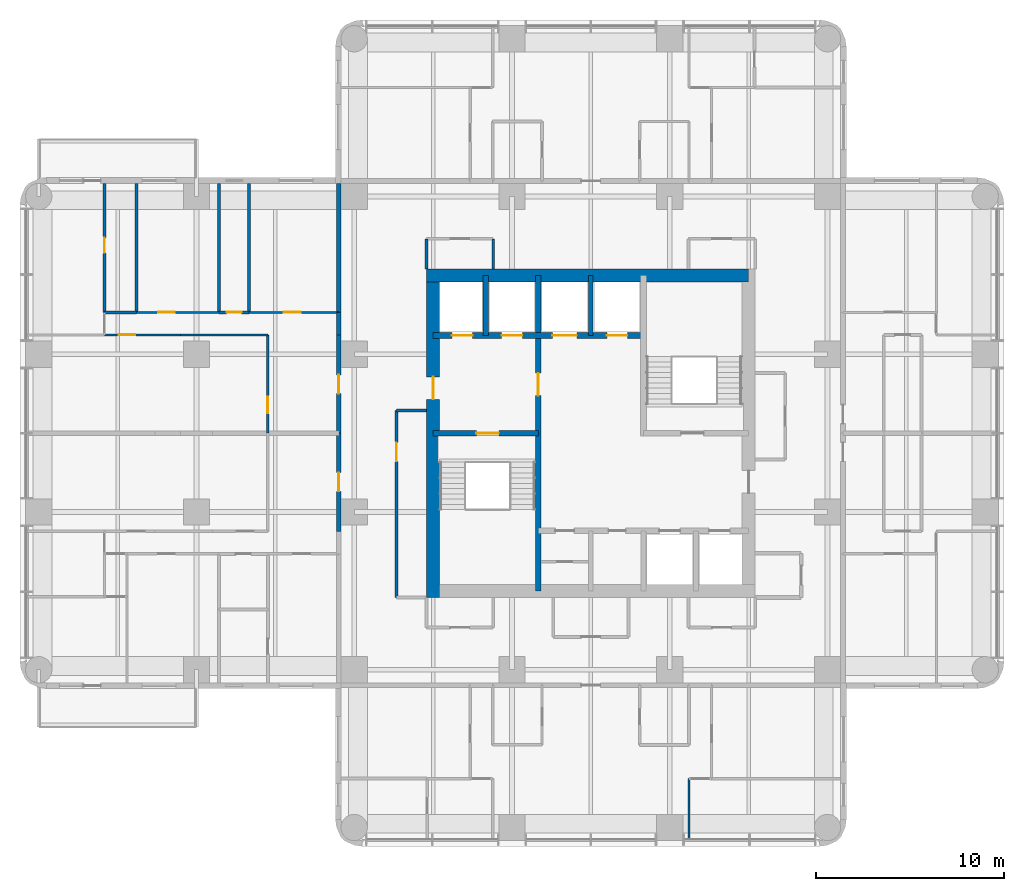
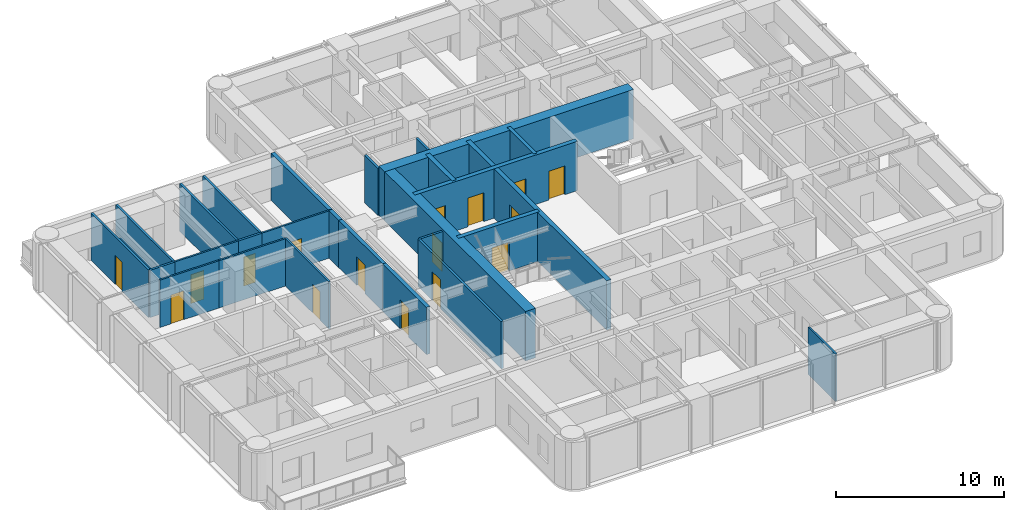
# One storey, part 6 of 11: 27 walls, 16 doors, 16 openings.
"""IFC4 building model written with IfcOpenShell, lengths in metres."""

from ifc_helpers import new_model, si_unit, direction, frame, frame_2d, origin, place, context, subcontext, project, spatial, rectangle, extrude, material, layer, layer_set, type_object, element, fill, save


model = new_model("IFC4")

# Units and contexts
model_context = context("Model", 3, precision=1e-05, world=origin(), true_north=direction((0.0, 1.0)))
body_context = subcontext(model_context, "Body", "Model", "MODEL_VIEW")
ifc_project = project(units=[si_unit("LENGTHUNIT", "METRE"), si_unit("AREAUNIT", "SQUARE_METRE"), si_unit("VOLUMEUNIT", "CUBIC_METRE"), si_unit("PLANEANGLEUNIT", "RADIAN"), si_unit("MASSUNIT", "GRAM", prefix="KILO")], contexts=[model_context])

# Site, building, storey
site_placement = place(None, origin())
site = spatial("IfcSite", under=ifc_project, at=site_placement, CompositionType="ELEMENT")
building_placement = place(site_placement, origin())
building = spatial("IfcBuilding", under=site, at=building_placement, Name="Torre Alcanfor", CompositionType="ELEMENT")
storey_placement = place(building_placement, frame((0.0, 0.0, 190.5)))
storey = spatial("IfcBuildingStorey", under=building, at=storey_placement, Name="L49", CompositionType="ELEMENT", Elevation=190.5)

# Wall, opening, door
ifc_material_1 = material(Name="Concrete block masonry, hollow blocks NMX-C-404 9 MPa", Category="masonry")
ifc_layer_1 = layer(ifc_material_1, 0.25)
ifc_layer_set_1 = layer_set([ifc_layer_1], Name="Apartment entrance wall 250 EI 60")
wall_type_1 = type_object("IfcWallType", Name="Apartment entrance wall 250 EI 60", PredefinedType="PARTITIONING", material=ifc_layer_set_1)
wall_1_placement = place(storey_placement, frame((15.97509765625, 24.1708984375, 0.0), z_axis=(0.0, 0.0, 1.0), x_axis=(0.0, 1.0, 0.0)))
wall_1 = element("IfcWall", 1, at=wall_1_placement, inside=storey, type_object=wall_type_1, Name="Partition L49-CORR / L49-W1-ZAG", PredefinedType="PARTITIONING", context=body_context, shape_type="SweptSolid", body=[
    extrude(rectangle(XDim=5.22900390625, YDim=0.25, at=frame_2d((2.614501953125, 0.0))), origin(), (0.0, 0.0, 1.0), 3.449951171875),
])
opening_1_placement = place(wall_1_placement, frame((2.12890625, 0.0, 0.0)))
opening_1 = element("IfcOpeningElement", 2, at=opening_1_placement, cuts=wall_1, Name="Opening D-A1", PredefinedType="OPENING", context=body_context, shape_type="SweptSolid", body=[
    extrude(rectangle(XDim=1.0, YDim=2.10009765625, at=frame_2d((0.5, 1.050048828125))), frame((0.0, 0.135009765625, 0.0), z_axis=(0.0, -1.0, 0.0), x_axis=(1.0, 0.0, 0.0)), (0.0, 0.0, 1.0), 0.27001953125),
])
ifc_material_2 = material(Name="Galvanised steel sheet ASTM A653", Category="steel")
door_type_1 = type_object("IfcDoorType", Name="Apartment entrance door FD60 1000x2100", OperationType="SINGLE_SWING_LEFT", PredefinedType="DOOR", material=ifc_material_2)
door_1_placement = place(opening_1_placement, origin())
door_1 = element("IfcDoor", 3, at=door_1_placement, inside=storey, type_object=door_type_1, Name="Apartment entrance L49-W1", OperationType="SINGLE_SWING_RIGHT", OverallHeight=2.10009765625, OverallWidth=1.0, PredefinedType="DOOR", context=body_context, shape_type="SweptSolid", body=[
    extrude(rectangle(XDim=1.0, YDim=2.10009765625, at=frame_2d((0.5, 1.050048828125))), frame((0.0, 0.02490234375, 0.0), z_axis=(0.0, -1.0, 0.0), x_axis=(1.0, 0.0, 0.0)), (0.0, 0.0, 1.0), 0.050048828125),
])
fill(opening_1, door_1)

wall_2_placement = place(storey_placement, frame((15.97509765625, 29.39990234375, 0.0), z_axis=(0.0, 0.0, 1.0), x_axis=(0.0, 1.0, 0.0)))
wall_2 = element("IfcWall", 4, at=wall_2_placement, inside=storey, type_object=wall_type_1, Name="Partition L49-CORR / L49-W2-ZAG", PredefinedType="PARTITIONING", context=body_context, shape_type="SweptSolid", body=[
    extrude(rectangle(XDim=5.22900390625, YDim=0.25, at=frame_2d((2.614501953125, 0.0))), origin(), (0.0, 0.0, 1.0), 3.449951171875),
])
opening_2_placement = place(wall_2_placement, frame((2.10009765625, 0.0, 0.0)))
opening_2 = element("IfcOpeningElement", 5, at=opening_2_placement, cuts=wall_2, Name="Opening D-A1", PredefinedType="OPENING", context=body_context, shape_type="SweptSolid", body=[
    extrude(rectangle(XDim=1.0, YDim=2.10009765625, at=frame_2d((0.5, 1.050048828125))), frame((0.0, 0.135009765625, 0.0), z_axis=(0.0, -1.0, 0.0), x_axis=(1.0, 0.0, 0.0)), (0.0, 0.0, 1.0), 0.27001953125),
])
door_2_placement = place(opening_2_placement, origin())
door_2 = element("IfcDoor", 6, at=door_2_placement, inside=storey, type_object=door_type_1, Name="Apartment entrance L49-W2", OperationType="SINGLE_SWING_LEFT", OverallHeight=2.10009765625, OverallWidth=1.0, PredefinedType="DOOR", context=body_context, shape_type="SweptSolid", body=[
    extrude(rectangle(XDim=1.0, YDim=2.10009765625, at=frame_2d((0.5, 1.050048828125))), frame((0.0, 0.02490234375, 0.0), z_axis=(0.0, -1.0, 0.0), x_axis=(1.0, 0.0, 0.0)), (0.0, 0.0, 1.0), 0.050048828125),
])
fill(opening_2, door_2)

# Walls
wall_3_placement = place(storey_placement, frame((15.97509765625, 34.62890625, 0.0), z_axis=(0.0, 0.0, 1.0), x_axis=(0.0, 1.0, 0.0)))
element("IfcWall", 7, at=wall_3_placement, inside=storey, type_object=wall_type_1, Name="Partition L49-CORR / L49-W2-HALL", PredefinedType="PARTITIONING", context=body_context, shape_type="SweptSolid", body=[
    extrude(rectangle(XDim=1.2001953125, YDim=0.25, at=frame_2d((0.60009765625, 0.0))), origin(), (0.0, 0.0, 1.0), 3.449951171875),
])
wall_4_placement = place(storey_placement, frame((15.97509765625, 35.8291015625, 0.0), z_axis=(0.0, 0.0, 1.0), x_axis=(0.0, 1.0, 0.0)))
element("IfcWall", 8, at=wall_4_placement, inside=storey, type_object=wall_type_1, Name="Partition L49-CORR / L49-W2-BED3", PredefinedType="PARTITIONING", context=body_context, shape_type="SweptSolid", body=[
    extrude(rectangle(XDim=6.870849609375, YDim=0.25, at=frame_2d((3.435546875, 0.0))), origin(), (0.0, 0.0, 1.0), 3.449951171875),
])
ifc_material_3 = material(Name="Gypsum board on steel studs", Category="steel")
ifc_layer_2 = layer(ifc_material_3, 0.1201171875)
ifc_layer_set_2 = layer_set([ifc_layer_2], Name="Apartment partition 120")
wall_type_2 = type_object("IfcWallType", Name="Apartment partition 120", PredefinedType="PARTITIONING", material=ifc_layer_set_2)
wall_5_placement = place(storey_placement, frame((34.62890625, 11.0, 0.0), z_axis=(0.0, 0.0, 1.0), x_axis=(0.0, -1.0, 0.0)))
element("IfcWall", 9, at=wall_5_placement, inside=storey, type_object=wall_type_2, Name="Partition L49-SX-LIVING / L49-SX-MASTER", PredefinedType="PARTITIONING", context=body_context, shape_type="SweptSolid", body=[
    extrude(rectangle(XDim=3.25, YDim=0.1201171875, at=frame_2d((1.625, 0.0))), origin(), (0.0, 0.0, 1.0), 3.449951171875),
])

# Wall, opening, door
wall_6_placement = place(storey_placement, frame((12.199951171875, 29.39990234375, 0.0), z_axis=(0.0, 0.0, 1.0), x_axis=(0.0, 1.0, 0.0)))
wall_6 = element("IfcWall", 10, at=wall_6_placement, inside=storey, type_object=wall_type_2, Name="Partition L49-W2-ZAG / L49-W2-KITCHEN", PredefinedType="PARTITIONING", context=body_context, shape_type="SweptSolid", body=[
    extrude(rectangle(XDim=5.22900390625, YDim=0.1201171875, at=frame_2d((2.614501953125, 0.0))), origin(), (0.0, 0.0, 1.0), 3.449951171875),
])
opening_3_placement = place(wall_6_placement, frame((1.050048828125, 0.0, 0.0)))
opening_3 = element("IfcOpeningElement", 11, at=opening_3_placement, cuts=wall_6, Name="Opening D-R1", PredefinedType="OPENING", context=body_context, shape_type="SweptSolid", body=[
    extrude(rectangle(XDim=0.89990234375, YDim=2.10009765625, at=frame_2d((0.449951171875, 1.050048828125))), frame((0.0, 0.070068359375, 0.0), z_axis=(0.0, -1.0, 0.0), x_axis=(1.0, 0.0, 0.0)), (0.0, 0.0, 1.0), 0.14013671875),
])
ifc_material_4 = material(Name="Timber", Category="wood")
door_type_2 = type_object("IfcDoorType", Name="Internal door 900x2100", OperationType="SINGLE_SWING_LEFT", PredefinedType="DOOR", material=ifc_material_4)
door_3_placement = place(opening_3_placement, origin())
door_3 = element("IfcDoor", 12, at=door_3_placement, inside=storey, type_object=door_type_2, Name="Door L49-W2 kitchen", OperationType="SINGLE_SWING_LEFT", OverallHeight=2.10009765625, OverallWidth=0.89990234375, PredefinedType="DOOR", context=body_context, shape_type="SweptSolid", body=[
    extrude(rectangle(XDim=0.89990234375, YDim=2.10009765625, at=frame_2d((0.449951171875, 1.050048828125))), frame((0.0, 0.02490234375, 0.0), z_axis=(0.0, -1.0, 0.0), x_axis=(1.0, 0.0, 0.0)), (0.0, 0.0, 1.0), 0.050048828125),
])
fill(opening_3, door_3)

# Wall
wall_7_placement = place(storey_placement, frame((7.550048828125, 34.62890625, 0.0), z_axis=(0.0, 0.0, 1.0), x_axis=(1.0, 0.0, 0.0)))
element("IfcWall", 13, at=wall_7_placement, inside=storey, type_object=wall_type_2, Name="Partition L49-W2-KITCHEN / L49-W2-HALL", PredefinedType="PARTITIONING", context=body_context, shape_type="SweptSolid", body=[
    extrude(rectangle(XDim=4.64990234375, YDim=0.1201171875, at=frame_2d((2.324951171875, 0.0))), origin(), (0.0, 0.0, 1.0), 3.449951171875),
])

# Wall, opening, door
wall_8_placement = place(storey_placement, frame((3.5, 34.62890625, 0.0), z_axis=(0.0, 0.0, 1.0), x_axis=(1.0, 0.0, 0.0)))
wall_8 = element("IfcWall", 14, at=wall_8_placement, inside=storey, type_object=wall_type_2, Name="Partition L49-W2-LIVING / L49-W2-HALL", PredefinedType="PARTITIONING", context=body_context, shape_type="SweptSolid", body=[
    extrude(rectangle(XDim=4.050048828125, YDim=0.1201171875, at=frame_2d((2.02490234375, 0.0))), origin(), (0.0, 0.0, 1.0), 3.449951171875),
])
opening_4_placement = place(wall_8_placement, frame((0.75, 0.0, 0.0)))
opening_4 = element("IfcOpeningElement", 15, at=opening_4_placement, cuts=wall_8, Name="Opening D-R1", PredefinedType="OPENING", context=body_context, shape_type="SweptSolid", body=[
    extrude(rectangle(XDim=0.89990234375, YDim=2.10009765625, at=frame_2d((0.449951171875, 1.050048828125))), frame((0.0, 0.070068359375, 0.0), z_axis=(0.0, -1.0, 0.0), x_axis=(1.0, 0.0, 0.0)), (0.0, 0.0, 1.0), 0.14013671875),
])
door_4_placement = place(opening_4_placement, frame((0.89990234375, 0.0, 0.0), z_axis=(0.0, 0.0, 1.0), x_axis=(-1.0, 0.0, 0.0)))
door_4 = element("IfcDoor", 16, at=door_4_placement, inside=storey, type_object=door_type_2, Name="Door L49-W2 living", OperationType="SINGLE_SWING_LEFT", OverallHeight=2.10009765625, OverallWidth=0.89990234375, PredefinedType="DOOR", context=body_context, shape_type="SweptSolid", body=[
    extrude(rectangle(XDim=0.89990234375, YDim=2.10009765625, at=frame_2d((0.449951171875, 1.050048828125))), frame((0.0, 0.025146484375, 0.0), z_axis=(0.0, -1.0, 0.0), x_axis=(1.0, 0.0, 0.0)), (0.0, 0.0, 1.0), 0.050048828125),
])
fill(opening_4, door_4)

wall_9_placement = place(storey_placement, frame((11.199951171875, 35.8291015625, 0.0), z_axis=(0.0, 0.0, 1.0), x_axis=(1.0, 0.0, 0.0)))
wall_9 = element("IfcWall", 17, at=wall_9_placement, inside=storey, type_object=wall_type_2, Name="Partition L49-W2-HALL / L49-W2-BED3", PredefinedType="PARTITIONING", context=body_context, shape_type="SweptSolid", body=[
    extrude(rectangle(XDim=4.775146484375, YDim=0.1201171875, at=frame_2d((2.3876953125, 0.0))), origin(), (0.0, 0.0, 1.0), 3.449951171875),
])
opening_5_placement = place(wall_9_placement, frame((1.85009765625, 0.0, 0.0)))
opening_5 = element("IfcOpeningElement", 18, at=opening_5_placement, cuts=wall_9, Name="Opening D-R1", PredefinedType="OPENING", context=body_context, shape_type="SweptSolid", body=[
    extrude(rectangle(XDim=0.89990234375, YDim=2.10009765625, at=frame_2d((0.449951171875, 1.050048828125))), frame((0.0, 0.070068359375, 0.0), z_axis=(0.0, -1.0, 0.0), x_axis=(1.0, 0.0, 0.0)), (0.0, 0.0, 1.0), 0.14013671875),
])
door_5_placement = place(opening_5_placement, origin())
door_5 = element("IfcDoor", 19, at=door_5_placement, inside=storey, type_object=door_type_2, Name="Door L49-W2 bed3", OperationType="SINGLE_SWING_LEFT", OverallHeight=2.10009765625, OverallWidth=0.89990234375, PredefinedType="DOOR", context=body_context, shape_type="SweptSolid", body=[
    extrude(rectangle(XDim=0.89990234375, YDim=2.10009765625, at=frame_2d((0.449951171875, 1.050048828125))), frame((0.0, 0.02490234375, 0.0), z_axis=(0.0, -1.0, 0.0), x_axis=(1.0, 0.0, 0.0)), (0.0, 0.0, 1.0), 0.050048828125),
])
fill(opening_5, door_5)

wall_10_placement = place(storey_placement, frame((5.199951171875, 35.8291015625, 0.0), z_axis=(0.0, 0.0, 1.0), x_axis=(1.0, 0.0, 0.0)))
wall_10 = element("IfcWall", 20, at=wall_10_placement, inside=storey, type_object=wall_type_2, Name="Partition L49-W2-HALL / L49-W2-BED2", PredefinedType="PARTITIONING", context=body_context, shape_type="SweptSolid", body=[
    extrude(rectangle(XDim=4.400146484375, YDim=0.1201171875, at=frame_2d((2.2001953125, 0.0))), origin(), (0.0, 0.0, 1.0), 3.449951171875),
])
opening_6_placement = place(wall_10_placement, frame((1.14990234375, 0.0, 0.0)))
opening_6 = element("IfcOpeningElement", 21, at=opening_6_placement, cuts=wall_10, Name="Opening D-R1", PredefinedType="OPENING", context=body_context, shape_type="SweptSolid", body=[
    extrude(rectangle(XDim=0.89990234375, YDim=2.10009765625, at=frame_2d((0.449951171875, 1.050048828125))), frame((0.0, 0.070068359375, 0.0), z_axis=(0.0, -1.0, 0.0), x_axis=(1.0, 0.0, 0.0)), (0.0, 0.0, 1.0), 0.14013671875),
])
door_6_placement = place(opening_6_placement, origin())
door_6 = element("IfcDoor", 22, at=door_6_placement, inside=storey, type_object=door_type_2, Name="Door L49-W2 bed2", OperationType="SINGLE_SWING_LEFT", OverallHeight=2.10009765625, OverallWidth=0.89990234375, PredefinedType="DOOR", context=body_context, shape_type="SweptSolid", body=[
    extrude(rectangle(XDim=0.89990234375, YDim=2.10009765625, at=frame_2d((0.449951171875, 1.050048828125))), frame((0.0, 0.02490234375, 0.0), z_axis=(0.0, -1.0, 0.0), x_axis=(1.0, 0.0, 0.0)), (0.0, 0.0, 1.0), 0.050048828125),
])
fill(opening_6, door_6)

ifc_material_5 = material(Name="Concrete f'c 70 MPa", Category="concrete")
ifc_layer_3 = layer(ifc_material_5, 0.300048828125)
ifc_layer_set_3 = layer_set([ifc_layer_3], Name="Core inner wall 300 f'c70")
wall_type_3 = type_object("IfcWallType", Name="Core inner wall 300 f'c70", PredefinedType="SHEAR", material=ifc_layer_set_3)
wall_11_placement = place(storey_placement, frame((26.60009765625, 21.0, 0.0), z_axis=(0.0, 0.0, 1.0), x_axis=(0.0, 1.0, 0.0)))
wall_11 = element("IfcWall", 23, at=wall_11_placement, inside=storey, type_object=wall_type_3, Name="Core wall X266 L49", PredefinedType="SHEAR", context=body_context, shape_type="SweptSolid", body=[
    extrude(rectangle(XDim=16.800048828125, YDim=0.300048828125, at=frame_2d((8.39990234375, 0.0))), origin(), (0.0, 0.0, 1.0), 3.60009765625),
])
opening_7_placement = place(wall_11_placement, frame((10.39990234375, 0.0, 0.0)))
opening_7 = element("IfcOpeningElement", 24, at=opening_7_placement, cuts=wall_11, Name="Opening D-L1", PredefinedType="OPENING", context=body_context, shape_type="SweptSolid", body=[
    extrude(rectangle(XDim=1.199951171875, YDim=2.10009765625, at=frame_2d((0.60009765625, 1.050048828125))), frame((0.0, 0.159912109375, 0.0), z_axis=(0.0, -1.0, 0.0), x_axis=(1.0, 0.0, 0.0)), (0.0, 0.0, 1.0), 0.320068359375),
])
ifc_material_6 = material(Name="Galvanised steel sheet ASTM A653", Category="steel")
door_type_3 = type_object("IfcDoorType", Name="Lobby door FD120 1200x2100", OperationType="SINGLE_SWING_LEFT", PredefinedType="DOOR", material=ifc_material_6)
door_7_placement = place(opening_7_placement, origin())
door_7 = element("IfcDoor", 25, at=door_7_placement, inside=storey, type_object=door_type_3, Name="Lift lobby door L49", OperationType="SINGLE_SWING_LEFT", OverallHeight=2.10009765625, OverallWidth=1.199951171875, PredefinedType="DOOR", context=body_context, shape_type="SweptSolid", body=[
    extrude(rectangle(XDim=1.199951171875, YDim=2.10009765625, at=frame_2d((0.60009765625, 1.050048828125))), frame((0.0, 0.02490234375, 0.0), z_axis=(0.0, -1.0, 0.0), x_axis=(1.0, 0.0, 0.0)), (0.0, 0.0, 1.0), 0.050048828125),
])
fill(opening_7, door_7)

wall_12_placement = place(storey_placement, frame((21.0, 29.39990234375, 0.0), z_axis=(0.0, 0.0, 1.0), x_axis=(1.0, 0.0, 0.0)))
wall_12 = element("IfcWall", 26, at=wall_12_placement, inside=storey, type_object=wall_type_3, Name="Core wall Y294W L49", PredefinedType="SHEAR", context=body_context, shape_type="SweptSolid", body=[
    extrude(rectangle(XDim=5.60009765625, YDim=0.300048828125, at=frame_2d((2.800048828125, 0.0))), origin(), (0.0, 0.0, 1.0), 3.60009765625),
])
opening_8_placement = place(wall_12_placement, frame((2.300048828125, 0.0, 0.0)))
opening_8 = element("IfcOpeningElement", 27, at=opening_8_placement, cuts=wall_12, Name="Opening D-S2", PredefinedType="OPENING", context=body_context, shape_type="SweptSolid", body=[
    extrude(rectangle(XDim=1.199951171875, YDim=2.10009765625, at=frame_2d((0.60009765625, 1.050048828125))), frame((0.0, 0.159912109375, 0.0), z_axis=(0.0, -1.0, 0.0), x_axis=(1.0, 0.0, 0.0)), (0.0, 0.0, 1.0), 0.320068359375),
])
ifc_material_7 = material(Name="Galvanised steel sheet ASTM A653", Category="steel")
door_type_4 = type_object("IfcDoorType", Name="Stair enclosure door FD120 1200x2100", OperationType="SINGLE_SWING_LEFT", PredefinedType="DOOR", material=ifc_material_7)
door_8_placement = place(opening_8_placement, frame((1.199951171875, 0.0, 0.0), z_axis=(0.0, 0.0, 1.0), x_axis=(-1.0, 0.0, 0.0)))
door_8 = element("IfcDoor", 28, at=door_8_placement, inside=storey, type_object=door_type_4, Name="Stair S1 door L49", OperationType="SINGLE_SWING_LEFT", OverallHeight=2.10009765625, OverallWidth=1.199951171875, PredefinedType="DOOR", context=body_context, shape_type="SweptSolid", body=[
    extrude(rectangle(XDim=1.199951171875, YDim=2.10009765625, at=frame_2d((0.599853515625, 1.050048828125))), frame((0.0, 0.025146484375, 0.0), z_axis=(0.0, -1.0, 0.0), x_axis=(1.0, 0.0, 0.0)), (0.0, 0.0, 1.0), 0.050048828125),
])
fill(opening_8, door_8)

# Wall, openings, doors
wall_13_placement = place(storey_placement, frame((21.0, 34.60009765625, 0.0), z_axis=(0.0, 0.0, 1.0), x_axis=(1.0, 0.0, 0.0)))
wall_13 = element("IfcWall", 29, at=wall_13_placement, inside=storey, type_object=wall_type_3, Name="Core wall Y346 L49", PredefinedType="SHEAR", context=body_context, shape_type="SweptSolid", body=[
    extrude(rectangle(XDim=11.199951171875, YDim=0.300048828125, at=frame_2d((5.60009765625, 0.0))), origin(), (0.0, 0.0, 1.0), 3.60009765625),
])
opening_9_placement = place(wall_13_placement, frame((9.25, 0.0, 0.0)))
opening_9 = element("IfcOpeningElement", 30, at=opening_9_placement, cuts=wall_13, Name="Opening LD1", PredefinedType="OPENING", context=body_context, shape_type="SweptSolid", body=[
    extrude(rectangle(XDim=1.10009765625, YDim=2.10009765625, at=frame_2d((0.550048828125, 1.050048828125))), frame((0.0, 0.159912109375, 0.0), z_axis=(0.0, -1.0, 0.0), x_axis=(1.0, 0.0, 0.0)), (0.0, 0.0, 1.0), 0.320068359375),
])
opening_10_placement = place(wall_13_placement, frame((1.0, 0.0, 0.0)))
opening_10 = element("IfcOpeningElement", 31, at=opening_10_placement, cuts=wall_13, Name="Opening LD2", PredefinedType="OPENING", context=body_context, shape_type="SweptSolid", body=[
    extrude(rectangle(XDim=1.10009765625, YDim=2.10009765625, at=frame_2d((0.550048828125, 1.050048828125))), frame((0.0, 0.159912109375, 0.0), z_axis=(0.0, -1.0, 0.0), x_axis=(1.0, 0.0, 0.0)), (0.0, 0.0, 1.0), 0.320068359375),
])
opening_11_placement = place(wall_13_placement, frame((3.64990234375, 0.0, 0.0)))
opening_11 = element("IfcOpeningElement", 32, at=opening_11_placement, cuts=wall_13, Name="Opening LD2", PredefinedType="OPENING", context=body_context, shape_type="SweptSolid", body=[
    extrude(rectangle(XDim=1.10009765625, YDim=2.10009765625, at=frame_2d((0.550048828125, 1.050048828125))), frame((0.0, 0.159912109375, 0.0), z_axis=(0.0, -1.0, 0.0), x_axis=(1.0, 0.0, 0.0)), (0.0, 0.0, 1.0), 0.320068359375),
])
opening_12_placement = place(wall_13_placement, frame((6.35009765625, 0.0, 0.0)))
opening_12 = element("IfcOpeningElement", 33, at=opening_12_placement, cuts=wall_13, Name="Opening LD3", PredefinedType="OPENING", context=body_context, shape_type="SweptSolid", body=[
    extrude(rectangle(XDim=1.300048828125, YDim=2.10009765625, at=frame_2d((0.64990234375, 1.050048828125))), frame((0.0, 0.159912109375, 0.0), z_axis=(0.0, -1.0, 0.0), x_axis=(1.0, 0.0, 0.0)), (0.0, 0.0, 1.0), 0.320068359375),
])
ifc_material_8 = material(Name="Galvanised steel sheet ASTM A653", Category="steel")
door_type_5 = type_object("IfcDoorType", Name="Firefighting lift landing door 1100x2100", OperationType="DOUBLE_DOOR_SLIDING", PredefinedType="DOOR", material=ifc_material_8)
door_9_placement = place(opening_10_placement, origin())
door_9 = element("IfcDoor", 34, at=door_9_placement, inside=storey, type_object=door_type_5, Name="Lift landing door FL1 L49", OperationType="DOUBLE_DOOR_SLIDING", OverallHeight=2.10009765625, OverallWidth=1.10009765625, PredefinedType="DOOR", context=body_context, shape_type="SweptSolid", body=[
    extrude(rectangle(XDim=1.10009765625, YDim=2.10009765625, at=frame_2d((0.550048828125, 1.050048828125))), frame((0.0, 0.02490234375, 0.0), z_axis=(0.0, -1.0, 0.0), x_axis=(1.0, 0.0, 0.0)), (0.0, 0.0, 1.0), 0.050048828125),
])
fill(opening_10, door_9)
door_10_placement = place(opening_11_placement, origin())
door_10 = element("IfcDoor", 35, at=door_10_placement, inside=storey, type_object=door_type_5, Name="Lift landing door FL2 L49", OperationType="DOUBLE_DOOR_SLIDING", OverallHeight=2.10009765625, OverallWidth=1.10009765625, PredefinedType="DOOR", context=body_context, shape_type="SweptSolid", body=[
    extrude(rectangle(XDim=1.10009765625, YDim=2.10009765625, at=frame_2d((0.550048828125, 1.050048828125))), frame((0.0, 0.02490234375, 0.0), z_axis=(0.0, -1.0, 0.0), x_axis=(1.0, 0.0, 0.0)), (0.0, 0.0, 1.0), 0.050048828125),
])
fill(opening_11, door_10)
ifc_material_9 = material(Name="Galvanised steel sheet ASTM A653", Category="steel")
door_type_6 = type_object("IfcDoorType", Name="Lift landing door 1100x2100", OperationType="DOUBLE_DOOR_SLIDING", PredefinedType="DOOR", material=ifc_material_9)
door_11_placement = place(opening_9_placement, origin())
door_11 = element("IfcDoor", 36, at=door_11_placement, inside=storey, type_object=door_type_6, Name="Lift landing door PA5 L49", OperationType="DOUBLE_DOOR_SLIDING", OverallHeight=2.10009765625, OverallWidth=1.10009765625, PredefinedType="DOOR", context=body_context, shape_type="SweptSolid", body=[
    extrude(rectangle(XDim=1.10009765625, YDim=2.10009765625, at=frame_2d((0.550048828125, 1.050048828125))), frame((0.0, 0.02490234375, 0.0), z_axis=(0.0, -1.0, 0.0), x_axis=(1.0, 0.0, 0.0)), (0.0, 0.0, 1.0), 0.050048828125),
])
fill(opening_9, door_11)
ifc_material_10 = material(Name="Galvanised steel sheet ASTM A653", Category="steel")
door_type_7 = type_object("IfcDoorType", Name="Service lift landing door 1300x2100", OperationType="DOUBLE_DOOR_SLIDING", PredefinedType="DOOR", material=ifc_material_10)
door_12_placement = place(opening_12_placement, origin())
door_12 = element("IfcDoor", 37, at=door_12_placement, inside=storey, type_object=door_type_7, Name="Lift landing door SL1 L49", OperationType="DOUBLE_DOOR_SLIDING", OverallHeight=2.10009765625, OverallWidth=1.300048828125, PredefinedType="DOOR", context=body_context, shape_type="SweptSolid", body=[
    extrude(rectangle(XDim=1.300048828125, YDim=2.10009765625, at=frame_2d((0.64990234375, 1.050048828125))), frame((0.0, 0.02490234375, 0.0), z_axis=(0.0, -1.0, 0.0), x_axis=(1.0, 0.0, 0.0)), (0.0, 0.0, 1.0), 0.050048828125),
])
fill(opening_12, door_12)

# Walls
wall_14_placement = place(storey_placement, frame((23.800048828125, 34.60009765625, 0.0), z_axis=(0.0, 0.0, 1.0), x_axis=(0.0, 1.0, 0.0)))
element("IfcWall", 38, at=wall_14_placement, inside=storey, type_object=wall_type_3, Name="Core wall X238 L49", PredefinedType="SHEAR", context=body_context, shape_type="SweptSolid", body=[
    extrude(rectangle(XDim=3.199951171875, YDim=0.300048828125, at=frame_2d((1.60009765625, 0.0))), origin(), (0.0, 0.0, 1.0), 3.60009765625),
])
ifc_material_11 = material(Name="Concrete f'c 70 MPa", Category="concrete")
ifc_layer_4 = layer(ifc_material_11, 0.25)
ifc_layer_set_4 = layer_set([ifc_layer_4], Name="Core shaft wall 250 f'c70")
wall_type_4 = type_object("IfcWallType", Name="Core shaft wall 250 f'c70", PredefinedType="SHEAR", material=ifc_layer_set_4)
wall_15_placement = place(storey_placement, frame((29.39990234375, 34.60009765625, 0.0), z_axis=(0.0, 0.0, 1.0), x_axis=(0.0, 1.0, 0.0)))
element("IfcWall", 39, at=wall_15_placement, inside=storey, type_object=wall_type_4, Name="Core wall X294N L49", PredefinedType="SHEAR", context=body_context, shape_type="SweptSolid", body=[
    extrude(rectangle(XDim=3.199951171875, YDim=0.25, at=frame_2d((1.60009765625, 0.0))), origin(), (0.0, 0.0, 1.0), 3.60009765625),
])
ifc_material_12 = material(Name="Concrete f'c 70 MPa", Category="concrete")
ifc_layer_5 = layer(ifc_material_12, 0.699951171875)
ifc_layer_set_5 = layer_set([ifc_layer_5], Name="Core wall 700 f'c70")
wall_type_5 = type_object("IfcWallType", Name="Core wall 700 f'c70", PredefinedType="SHEAR", material=ifc_layer_set_5)
wall_16_placement = place(storey_placement, frame((37.800048828125, 37.800048828125, 0.0), z_axis=(0.0, 0.0, 1.0), x_axis=(-1.0, 0.0, 0.0)))
element("IfcWall", 40, at=wall_16_placement, inside=storey, type_object=wall_type_5, Name="Core wall OUT-N L49", PredefinedType="SHEAR", context=body_context, shape_type="SweptSolid", body=[
    extrude(rectangle(XDim=17.150146484375, YDim=0.699951171875, at=frame_2d((8.5751953125, 0.0))), origin(), (0.0, 0.0, 1.0), 3.60009765625),
])

# Wall, opening, door
wall_17_placement = place(storey_placement, frame((21.0, 37.800048828125, 0.0), z_axis=(0.0, 0.0, 1.0), x_axis=(0.0, -1.0, 0.0)))
wall_17 = element("IfcWall", 41, at=wall_17_placement, inside=storey, type_object=wall_type_5, Name="Core wall OUT-W L49", PredefinedType="SHEAR", context=body_context, shape_type="SweptSolid", body=[
    extrude(rectangle(XDim=17.150146484375, YDim=0.699951171875, at=frame_2d((8.5751953125, 0.0))), origin(), (0.0, 0.0, 1.0), 3.60009765625),
])
opening_13_placement = place(wall_17_placement, frame((5.39990234375, 0.0, 0.0)))
opening_13 = element("IfcOpeningElement", 42, at=opening_13_placement, cuts=wall_17, Name="Opening D-L1", PredefinedType="OPENING", context=body_context, shape_type="SweptSolid", body=[
    extrude(rectangle(XDim=1.199951171875, YDim=2.10009765625, at=frame_2d((0.60009765625, 1.050048828125))), frame((0.0, 0.35986328125, 0.0), z_axis=(0.0, -1.0, 0.0), x_axis=(1.0, 0.0, 0.0)), (0.0, 0.0, 1.0), 0.719970703125),
])
door_13_placement = place(opening_13_placement, origin())
door_13 = element("IfcDoor", 43, at=door_13_placement, inside=storey, type_object=door_type_3, Name="Firefighting lobby door L49", OperationType="SINGLE_SWING_LEFT", OverallHeight=2.10009765625, OverallWidth=1.199951171875, PredefinedType="DOOR", context=body_context, shape_type="SweptSolid", body=[
    extrude(rectangle(XDim=1.199951171875, YDim=2.10009765625, at=frame_2d((0.60009765625, 1.050048828125))), frame((0.0, 0.02490234375, 0.0), z_axis=(0.0, -1.0, 0.0), x_axis=(1.0, 0.0, 0.0)), (0.0, 0.0, 1.0), 0.050048828125),
])
fill(opening_13, door_13)

# Walls
ifc_material_13 = material(Name="Concrete block masonry, hollow blocks NMX-C-404 9 MPa", Category="masonry")
ifc_layer_6 = layer(ifc_material_13, 0.14990234375)
ifc_layer_set_6 = layer_set([ifc_layer_6], Name="Residents' room partition 150")
wall_type_6 = type_object("IfcWallType", Name="Residents' room partition 150", PredefinedType="PARTITIONING", material=ifc_layer_set_6)
for number, where, z_axis, x_axis, name in (
    (44, (24.199951171875, 38.14990234375, 0.0), (0.0, 0.0, 1.0), (0.0, 1.0, 0.0), "Partition L49-CORR / L49-G01"),
    (45, (20.64990234375, 39.75, 0.0), (0.0, 0.0, 1.0), (0.0, -1.0, 0.0), "Partition L49-CORR / L49-G01"),
):
    element("IfcWall", number, at=place(storey_placement, frame(where, z_axis=z_axis, x_axis=x_axis)), inside=storey, type_object=wall_type_6, Name=name, PredefinedType="PARTITIONING", context=body_context, shape_type="SweptSolid", body=[
        extrude(rectangle(XDim=1.60009765625, YDim=0.14990234375, at=frame_2d((0.800048828125, 0.0))), origin(), (0.0, 0.0, 1.0), 3.449951171875),
    ])
wall_18_placement = place(storey_placement, frame((20.64990234375, 30.60009765625, 0.0), z_axis=(0.0, 0.0, 1.0), x_axis=(-1.0, 0.0, 0.0)))
element("IfcWall", 46, at=wall_18_placement, inside=storey, type_object=wall_type_6, Name="Partition L49-CORR / L49-G08", PredefinedType="PARTITIONING", context=body_context, shape_type="SweptSolid", body=[
    extrude(rectangle(XDim=1.599853515625, YDim=0.14990234375, at=frame_2d((0.7998046875, 0.0))), origin(), (0.0, 0.0, 1.0), 3.449951171875),
])

# Wall, opening, door
wall_19_placement = place(storey_placement, frame((19.050048828125, 30.60009765625, 0.0), z_axis=(0.0, 0.0, 1.0), x_axis=(0.0, -1.0, 0.0)))
wall_19 = element("IfcWall", 47, at=wall_19_placement, inside=storey, type_object=wall_type_6, Name="Partition L49-CORR / L49-G08", PredefinedType="PARTITIONING", context=body_context, shape_type="SweptSolid", body=[
    extrude(rectangle(XDim=9.9501953125, YDim=0.14990234375, at=frame_2d((4.97509765625, 0.0))), origin(), (0.0, 0.0, 1.0), 3.449951171875),
])
opening_14_placement = place(wall_19_placement, frame((1.699951171875, 0.0, 0.0)))
opening_14 = element("IfcOpeningElement", 48, at=opening_14_placement, cuts=wall_19, Name="Opening D-M1", PredefinedType="OPENING", context=body_context, shape_type="SweptSolid", body=[
    extrude(rectangle(XDim=1.0, YDim=2.10009765625, at=frame_2d((0.5, 1.050048828125))), frame((0.0, 0.0849609375, 0.0), z_axis=(0.0, -1.0, 0.0), x_axis=(1.0, 0.0, 0.0)), (0.0, 0.0, 1.0), 0.169921875),
])
ifc_material_14 = material(Name="Timber", Category="wood")
door_type_8 = type_object("IfcDoorType", Name="Residents' room door 1000x2100", OperationType="SINGLE_SWING_LEFT", PredefinedType="DOOR", material=ifc_material_14)
door_14_placement = place(opening_14_placement, origin())
door_14 = element("IfcDoor", 49, at=door_14_placement, inside=storey, type_object=door_type_8, Name="Door L49-G08 residents' lockers", OperationType="SINGLE_SWING_LEFT", OverallHeight=2.10009765625, OverallWidth=1.0, PredefinedType="DOOR", context=body_context, shape_type="SweptSolid", body=[
    extrude(rectangle(XDim=1.0, YDim=2.10009765625, at=frame_2d((0.5, 1.050048828125))), frame((0.0, 0.02490234375, 0.0), z_axis=(0.0, -1.0, 0.0), x_axis=(1.0, 0.0, 0.0)), (0.0, 0.0, 1.0), 0.050048828125),
])
fill(opening_14, door_14)

ifc_material_15 = material(Name="Cement board on steel studs", Category="steel")
ifc_layer_7 = layer(ifc_material_15, 0.14990234375)
ifc_layer_set_7 = layer_set([ifc_layer_7], Name="Wet area partition 150")
wall_type_7 = type_object("IfcWallType", Name="Wet area partition 150", PredefinedType="PARTITIONING", material=ifc_layer_set_7)
wall_20_placement = place(storey_placement, frame((9.60009765625, 35.8291015625, 0.0), z_axis=(0.0, 0.0, 1.0), x_axis=(1.0, 0.0, 0.0)))
wall_20 = element("IfcWall", 50, at=wall_20_placement, inside=storey, type_object=wall_type_7, Name="Partition L49-W2-HALL / L49-W2-BATH1", PredefinedType="PARTITIONING", context=body_context, shape_type="SweptSolid", body=[
    extrude(rectangle(XDim=1.599853515625, YDim=0.14990234375, at=frame_2d((0.7998046875, 0.0))), origin(), (0.0, 0.0, 1.0), 3.449951171875),
])
opening_15_placement = place(wall_20_placement, frame((0.39990234375, 0.0, 0.0)))
opening_15 = element("IfcOpeningElement", 51, at=opening_15_placement, cuts=wall_20, Name="Opening D-R2", PredefinedType="OPENING", context=body_context, shape_type="SweptSolid", body=[
    extrude(rectangle(XDim=0.800048828125, YDim=2.10009765625, at=frame_2d((0.39990234375, 1.050048828125))), frame((0.0, 0.0849609375, 0.0), z_axis=(0.0, -1.0, 0.0), x_axis=(1.0, 0.0, 0.0)), (0.0, 0.0, 1.0), 0.169921875),
])
ifc_material_16 = material(Name="Timber", Category="wood")
door_type_9 = type_object("IfcDoorType", Name="Bathroom door 800x2100", OperationType="SINGLE_SWING_LEFT", PredefinedType="DOOR", material=ifc_material_16)
door_15_placement = place(opening_15_placement, origin())
door_15 = element("IfcDoor", 52, at=door_15_placement, inside=storey, type_object=door_type_9, Name="Door L49-W2 bath1", OperationType="SINGLE_SWING_LEFT", OverallHeight=2.10009765625, OverallWidth=0.800048828125, PredefinedType="DOOR", context=body_context, shape_type="SweptSolid", body=[
    extrude(rectangle(XDim=0.800048828125, YDim=2.10009765625, at=frame_2d((0.39990234375, 1.050048828125))), frame((0.0, 0.02490234375, 0.0), z_axis=(0.0, -1.0, 0.0), x_axis=(1.0, 0.0, 0.0)), (0.0, 0.0, 1.0), 0.050048828125),
])
fill(opening_15, door_15)

# Walls
wall_21_placement = place(storey_placement, frame((3.5, 35.8291015625, 0.0), z_axis=(0.0, 0.0, 1.0), x_axis=(1.0, 0.0, 0.0)))
element("IfcWall", 53, at=wall_21_placement, inside=storey, type_object=wall_type_7, Name="Partition L49-W2-HALL / L49-W2-ENSBATH", PredefinedType="PARTITIONING", context=body_context, shape_type="SweptSolid", body=[
    extrude(rectangle(XDim=1.699951171875, YDim=0.14990234375, at=frame_2d((0.85009765625, 0.0))), origin(), (0.0, 0.0, 1.0), 3.449951171875),
])
for number, where, z_axis, x_axis, name in (
    (54, (11.199951171875, 35.8291015625, 0.0), (0.0, 0.0, 1.0), (0.0, 1.0, 0.0), "Partition L49-W2-BED3 / L49-W2-BATH1"),
    (55, (9.60009765625, 35.8291015625, 0.0), (0.0, 0.0, 1.0), (0.0, 1.0, 0.0), "Partition L49-W2-BATH1 / L49-W2-BED2"),
    (56, (5.199951171875, 35.8291015625, 0.0), (0.0, 0.0, 1.0), (0.0, 1.0, 0.0), "Partition L49-W2-BED2 / L49-W2-ENSBATH"),
):
    element("IfcWall", number, at=place(storey_placement, frame(where, z_axis=z_axis, x_axis=x_axis)), inside=storey, type_object=wall_type_7, Name=name, PredefinedType="PARTITIONING", context=body_context, shape_type="SweptSolid", body=[
        extrude(rectangle(XDim=6.870849609375, YDim=0.14990234375, at=frame_2d((3.435546875, 0.0))), origin(), (0.0, 0.0, 1.0), 3.449951171875),
    ])

# Wall, opening, door
wall_22_placement = place(storey_placement, frame((3.5, 35.8291015625, 0.0), z_axis=(0.0, 0.0, 1.0), x_axis=(0.0, 1.0, 0.0)))
wall_22 = element("IfcWall", 57, at=wall_22_placement, inside=storey, type_object=wall_type_7, Name="Partition L49-W2-ENSBATH / L49-W2-MASTER", PredefinedType="PARTITIONING", context=body_context, shape_type="SweptSolid", body=[
    extrude(rectangle(XDim=6.870849609375, YDim=0.14990234375, at=frame_2d((3.435546875, 0.0))), origin(), (0.0, 0.0, 1.0), 3.449951171875),
])
opening_16_placement = place(wall_22_placement, frame((3.1708984375, 0.0, 0.0)))
opening_16 = element("IfcOpeningElement", 58, at=opening_16_placement, cuts=wall_22, Name="Opening D-R2", PredefinedType="OPENING", context=body_context, shape_type="SweptSolid", body=[
    extrude(rectangle(XDim=0.800048828125, YDim=2.10009765625, at=frame_2d((0.39990234375, 1.050048828125))), frame((0.0, 0.0849609375, 0.0), z_axis=(0.0, -1.0, 0.0), x_axis=(1.0, 0.0, 0.0)), (0.0, 0.0, 1.0), 0.169921875),
])
door_16_placement = place(opening_16_placement, frame((0.800048828125, 0.0, 0.0), z_axis=(0.0, 0.0, 1.0), x_axis=(-1.0, 0.0, 0.0)))
door_16 = element("IfcDoor", 59, at=door_16_placement, inside=storey, type_object=door_type_9, Name="Door L49-W2 ensbath", OperationType="SINGLE_SWING_LEFT", OverallHeight=2.10009765625, OverallWidth=0.800048828125, PredefinedType="DOOR", context=body_context, shape_type="SweptSolid", body=[
    extrude(rectangle(XDim=0.800048828125, YDim=2.10009765625, at=frame_2d((0.400146484375, 1.050048828125))), frame((0.0, 0.025146484375, 0.0), z_axis=(0.0, -1.0, 0.0), x_axis=(1.0, 0.0, 0.0)), (0.0, 0.0, 1.0), 0.050048828125),
])
fill(opening_16, door_16)

save(model, "model.ifc")
